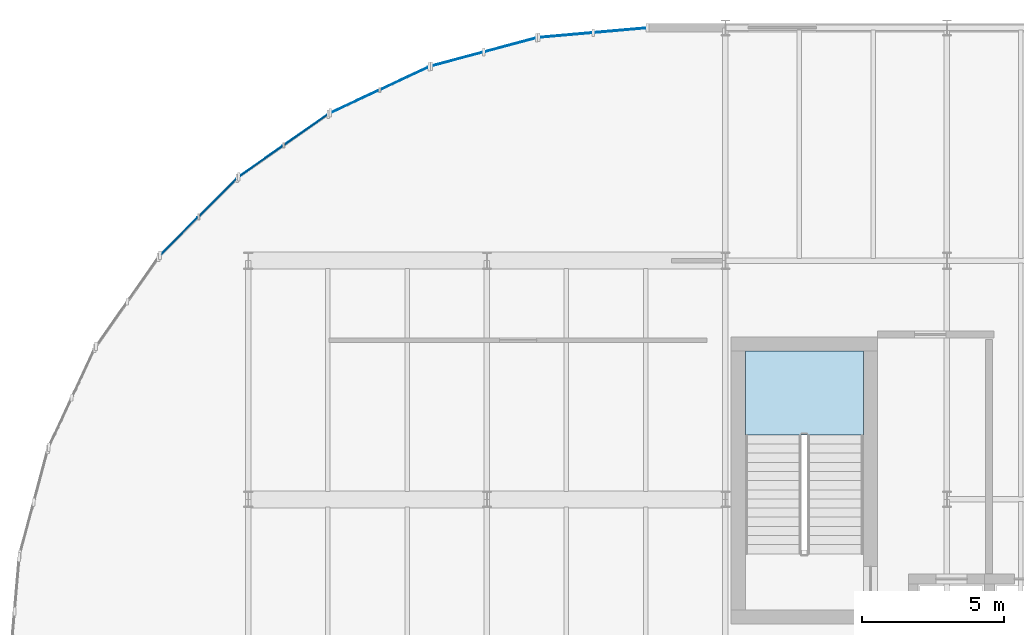
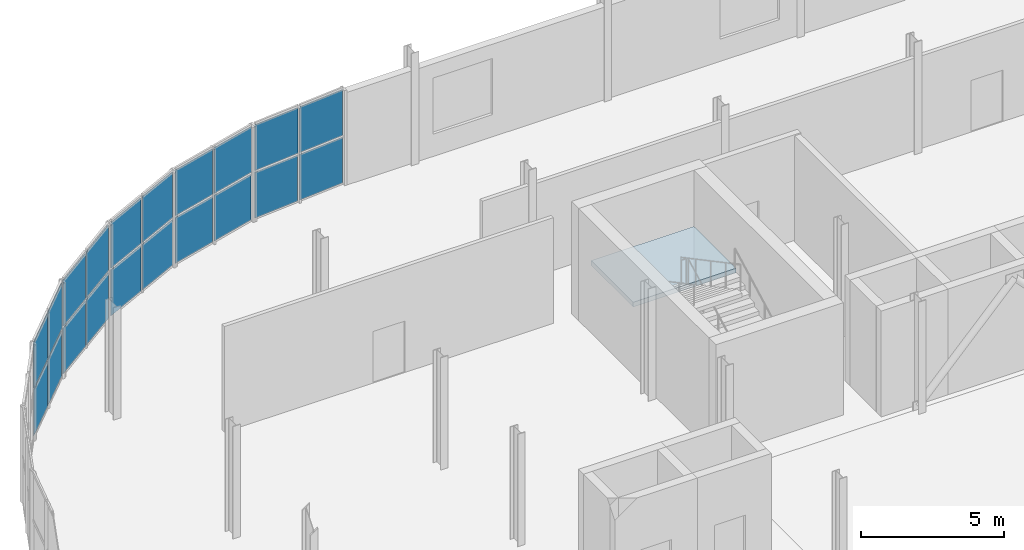
# One storey, part 38 of 63: 20 plates, 1 slab, 6 elements without a shape of their own.
"""IFC4 building model written with IfcOpenShell, lengths in metres."""

from ifc_helpers import new_model, si_unit, direction, frame, origin, origin_2d, place, context, subcontext, project, spatial, polyline, rectangle, outline, extrude, material, layer, layer_set, type_object, element, aggregate, save


model = new_model("IFC4")

# Units and contexts
model_context = context("Model", 3, precision=1e-05, world=origin(), true_north=direction((0.0, 1.0)))
body_context = subcontext(model_context, "Body", "Model", "MODEL_VIEW")
ifc_project = project(units=[si_unit("LENGTHUNIT", "METRE"), si_unit("AREAUNIT", "SQUARE_METRE"), si_unit("VOLUMEUNIT", "CUBIC_METRE"), si_unit("PLANEANGLEUNIT", "RADIAN"), si_unit("MASSUNIT", "GRAM", prefix="KILO")], contexts=[model_context])

# Site, building, storey
site_placement = place(None, origin())
site = spatial("IfcSite", under=ifc_project, at=site_placement, CompositionType="ELEMENT")
building_placement = place(site_placement, origin())
building = spatial("IfcBuilding", under=site, at=building_placement, Name="Sefraquen Railside Congress Hotel", CompositionType="ELEMENT")
storey_placement = place(building_placement, frame((0.0, 0.0, 11.39990234375)))
storey = spatial("IfcBuildingStorey", under=building, at=storey_placement, Name="L02", CompositionType="ELEMENT", Elevation=11.39990234375)

# Curtain wall, plates
ifc_material_1 = material(Name="Thermally broken anodised aluminium and low-E double glazing", Category="aluminium")
ifc_layer_1 = layer(ifc_material_1, 0.199951171875)
ifc_layer_set_1 = layer_set([ifc_layer_1], Name="Thermally broken anodised aluminium and low-E double glazing")
curtain_wall_type_1 = type_object("IfcCurtainWallType", Name="TCW-UCW-19", PredefinedType="USERDEFINED", material=ifc_layer_set_1)
curtain_wall_1_placement = place(storey_placement, origin())
curtain_wall_1 = element("IfcCurtainWall", 1, at=curtain_wall_1_placement, inside=storey, type_object=curtain_wall_type_1, Name="Rotunda L02 curved curtain wall facet 1", ObjectType="UNITISED CURTAIN WALL", PredefinedType="USERDEFINED")
ifc_material_2 = material(Name="Solar-control low-E double glazing", Category="glass")
ifc_layer_2 = layer(ifc_material_2, 0.02392578125)
ifc_layer_set_2 = layer_set([ifc_layer_2], Name="Solar-control low-E double glazing")
plate_type_1 = type_object("IfcPlateType", Name="TP-CWP-01", PredefinedType="CURTAIN_PANEL", material=ifc_layer_set_2)
plate_1_placement = place(storey_placement, frame((21.50341796875, 117.912841796875, 0.0400390625), z_axis=(0.0, 0.0, 1.0), x_axis=(-0.996196219095, -0.087138355857, 0.0)))
plate_1 = element("IfcPlate", 2, at=plate_1_placement, type_object=plate_type_1, Name="CW-L02-ROT-01 panel 1.1", PredefinedType="CURTAIN_PANEL", context=body_context, shape_type="SweptSolid", body=[
    extrude(rectangle(XDim=1.8310546875, YDim=0.02392578125, at=origin_2d()), origin(), (0.0, 0.0, 1.0), 1.955078125),
])
plate_2_placement = place(storey_placement, frame((19.589599609375, 117.745361328125, 0.0400390625), z_axis=(0.0, 0.0, 1.0), x_axis=(-0.996196219095, -0.087138355857, 0.0)))
plate_2 = element("IfcPlate", 3, at=plate_2_placement, type_object=plate_type_1, Name="CW-L02-ROT-01 panel 1.2", PredefinedType="CURTAIN_PANEL", context=body_context, shape_type="SweptSolid", body=[
    extrude(rectangle(XDim=1.8310546875, YDim=0.02392578125, at=origin_2d()), origin(), (0.0, 0.0, 1.0), 1.955078125),
])

ifc_layer_3 = layer(ifc_material_1, 0.199951171875)
ifc_layer_set_3 = layer_set([ifc_layer_3], Name="Thermally broken anodised aluminium and low-E double glazing")
curtain_wall_type_2 = type_object("IfcCurtainWallType", Name="TCW-UCW-20", PredefinedType="USERDEFINED", material=ifc_layer_set_3)
curtain_wall_2_placement = place(storey_placement, origin())
curtain_wall_2 = element("IfcCurtainWall", 4, at=curtain_wall_2_placement, inside=storey, type_object=curtain_wall_type_2, Name="Rotunda L02 curved curtain wall facet 2", ObjectType="UNITISED CURTAIN WALL", PredefinedType="USERDEFINED")
plate_3_placement = place(storey_placement, frame((17.62646484375, 117.399169921875, 0.0400390625), z_axis=(0.0, 0.0, 1.0), x_axis=(-0.96593486019, -0.258785327773, 0.0)))
plate_3 = element("IfcPlate", 5, at=plate_3_placement, type_object=plate_type_1, Name="CW-L02-ROT-02 panel 1.1", PredefinedType="CURTAIN_PANEL", context=body_context, shape_type="SweptSolid", body=[
    extrude(rectangle(XDim=1.8310546875, YDim=0.02392578125, at=origin_2d()), origin(), (0.0, 0.0, 1.0), 1.955078125),
])
plate_4_placement = place(storey_placement, frame((15.77099609375, 116.902099609375, 0.0400390625), z_axis=(0.0, 0.0, 1.0), x_axis=(-0.96593486019, -0.258785327773, 0.0)))
plate_4 = element("IfcPlate", 6, at=plate_4_placement, type_object=plate_type_1, Name="CW-L02-ROT-02 panel 1.2", PredefinedType="CURTAIN_PANEL", context=body_context, shape_type="SweptSolid", body=[
    extrude(rectangle(XDim=1.8310546875, YDim=0.02392578125, at=origin_2d()), origin(), (0.0, 0.0, 1.0), 1.955078125),
])

ifc_layer_4 = layer(ifc_material_1, 0.199951171875)
ifc_layer_set_4 = layer_set([ifc_layer_4], Name="Thermally broken anodised aluminium and low-E double glazing")
curtain_wall_type_3 = type_object("IfcCurtainWallType", Name="TCW-UCW-21", PredefinedType="USERDEFINED", material=ifc_layer_set_4)
curtain_wall_3_placement = place(storey_placement, origin())
curtain_wall_3 = element("IfcCurtainWall", 7, at=curtain_wall_3_placement, inside=storey, type_object=curtain_wall_type_3, Name="Rotunda L02 curved curtain wall facet 3", ObjectType="UNITISED CURTAIN WALL", PredefinedType="USERDEFINED")
plate_5_placement = place(storey_placement, frame((13.897705078125, 116.22021484375, 0.0400390625), z_axis=(0.0, 0.0, 1.0), x_axis=(-0.906300410818, -0.422634079731, 0.0)))
plate_5 = element("IfcPlate", 8, at=plate_5_placement, type_object=plate_type_1, Name="CW-L02-ROT-03 panel 1.1", PredefinedType="CURTAIN_PANEL", context=body_context, shape_type="SweptSolid", body=[
    extrude(rectangle(XDim=1.830810546875, YDim=0.02392578125, at=origin_2d()), origin(), (0.0, 0.0, 1.0), 1.955078125),
])
plate_6_placement = place(storey_placement, frame((12.15673828125, 115.408447265625, 0.0400390625), z_axis=(0.0, 0.0, 1.0), x_axis=(-0.906300410818, -0.422634079731, 0.0)))
plate_6 = element("IfcPlate", 9, at=plate_6_placement, type_object=plate_type_1, Name="CW-L02-ROT-03 panel 1.2", PredefinedType="CURTAIN_PANEL", context=body_context, shape_type="SweptSolid", body=[
    extrude(rectangle(XDim=1.830810546875, YDim=0.02392578125, at=origin_2d()), origin(), (0.0, 0.0, 1.0), 1.955078125),
])

ifc_layer_5 = layer(ifc_material_1, 0.199951171875)
ifc_layer_set_5 = layer_set([ifc_layer_5], Name="Thermally broken anodised aluminium and low-E double glazing")
curtain_wall_type_4 = type_object("IfcCurtainWallType", Name="TCW-UCW-22", PredefinedType="USERDEFINED", material=ifc_layer_set_5)
curtain_wall_4_placement = place(storey_placement, origin())
curtain_wall_4 = element("IfcCurtainWall", 10, at=curtain_wall_4_placement, inside=storey, type_object=curtain_wall_type_4, Name="Rotunda L02 curved curtain wall facet 4", ObjectType="UNITISED CURTAIN WALL", PredefinedType="USERDEFINED")
plate_7_placement = place(storey_placement, frame((10.430419921875, 114.411865234375, 0.0400390625), z_axis=(0.0, 0.0, 1.0), x_axis=(-0.819132022195, -0.573605029802, 0.0)))
plate_7 = element("IfcPlate", 11, at=plate_7_placement, type_object=plate_type_1, Name="CW-L02-ROT-04 panel 1.1", PredefinedType="CURTAIN_PANEL", context=body_context, shape_type="SweptSolid", body=[
    extrude(rectangle(XDim=1.8310546875, YDim=0.02392578125, at=origin_2d()), origin(), (0.0, 0.0, 1.0), 1.955078125),
])
plate_8_placement = place(storey_placement, frame((8.856689453125, 113.309814453125, 0.0400390625), z_axis=(0.0, 0.0, 1.0), x_axis=(-0.819132022195, -0.573605029802, 0.0)))
plate_8 = element("IfcPlate", 12, at=plate_8_placement, type_object=plate_type_1, Name="CW-L02-ROT-04 panel 1.2", PredefinedType="CURTAIN_PANEL", context=body_context, shape_type="SweptSolid", body=[
    extrude(rectangle(XDim=1.8310546875, YDim=0.02392578125, at=origin_2d()), origin(), (0.0, 0.0, 1.0), 1.955078125),
])

ifc_layer_6 = layer(ifc_material_1, 0.199951171875)
ifc_layer_set_6 = layer_set([ifc_layer_6], Name="Thermally broken anodised aluminium and low-E double glazing")
curtain_wall_type_5 = type_object("IfcCurtainWallType", Name="TCW-UCW-23", PredefinedType="USERDEFINED", material=ifc_layer_set_6)
curtain_wall_5_placement = place(storey_placement, origin())
curtain_wall_5 = element("IfcCurtainWall", 13, at=curtain_wall_5_placement, inside=storey, type_object=curtain_wall_type_5, Name="Rotunda L02 curved curtain wall facet 5", ObjectType="UNITISED CURTAIN WALL", PredefinedType="USERDEFINED")
plate_9_placement = place(storey_placement, frame((7.329833984375, 112.028564453125, 0.0400390625), z_axis=(0.0, 0.0, 1.0), x_axis=(-0.707106781187, -0.707106781187, 0.0)))
plate_9 = element("IfcPlate", 14, at=plate_9_placement, type_object=plate_type_1, Name="CW-L02-ROT-05 panel 1.1", PredefinedType="CURTAIN_PANEL", context=body_context, shape_type="SweptSolid", body=[
    extrude(rectangle(XDim=1.8310546875, YDim=0.02392578125, at=origin_2d()), origin(), (0.0, 0.0, 1.0), 1.955078125),
])
plate_10_placement = place(storey_placement, frame((5.971435546875, 110.670166015625, 0.0400390625), z_axis=(0.0, 0.0, 1.0), x_axis=(-0.707106781187, -0.707106781187, 0.0)))
plate_10 = element("IfcPlate", 15, at=plate_10_placement, type_object=plate_type_1, Name="CW-L02-ROT-05 panel 1.2", PredefinedType="CURTAIN_PANEL", context=body_context, shape_type="SweptSolid", body=[
    extrude(rectangle(XDim=1.8310546875, YDim=0.02392578125, at=origin_2d()), origin(), (0.0, 0.0, 1.0), 1.955078125),
])

# Plate
ifc_material_3 = material(Name="Triple acoustic solar-control glazing", Category="glass")
ifc_layer_7 = layer(ifc_material_3, 0.031982421875)
ifc_layer_set_7 = layer_set([ifc_layer_7], Name="Triple acoustic solar-control glazing")
plate_type_2 = type_object("IfcPlateType", Name="TP-CWP-02", PredefinedType="CURTAIN_PANEL", material=ifc_layer_set_7)
plate_11_placement = place(storey_placement, frame((21.50341796875, 117.912841796875, 2.074951171875), z_axis=(0.0, 0.0, 1.0), x_axis=(-0.996196219095, -0.087138355857, 0.0)))
plate_11 = element("IfcPlate", 16, at=plate_11_placement, type_object=plate_type_2, Name="CW-L02-ROT-01 panel 2.1", PredefinedType="CURTAIN_PANEL", context=body_context, shape_type="SweptSolid", body=[
    extrude(rectangle(XDim=1.8310546875, YDim=0.031982421875, at=origin_2d()), origin(), (0.0, 0.0, 1.0), 1.955078125),
])

plate_12_placement = place(storey_placement, frame((19.589599609375, 117.745361328125, 2.074951171875), z_axis=(0.0, 0.0, 1.0), x_axis=(-0.996196219095, -0.087138355857, 0.0)))
plate_12 = element("IfcPlate", 17, at=plate_12_placement, type_object=plate_type_2, Name="CW-L02-ROT-01 panel 2.2", PredefinedType="CURTAIN_PANEL", context=body_context, shape_type="SweptSolid", body=[
    extrude(rectangle(XDim=1.8310546875, YDim=0.031982421875, at=origin_2d()), origin(), (0.0, 0.0, 1.0), 1.955078125),
])

aggregate(curtain_wall_1, [plate_1, plate_2, plate_11, plate_12])

plate_13_placement = place(storey_placement, frame((17.62646484375, 117.399169921875, 2.074951171875), z_axis=(0.0, 0.0, 1.0), x_axis=(-0.96593486019, -0.258785327773, 0.0)))
plate_13 = element("IfcPlate", 18, at=plate_13_placement, type_object=plate_type_2, Name="CW-L02-ROT-02 panel 2.1", PredefinedType="CURTAIN_PANEL", context=body_context, shape_type="SweptSolid", body=[
    extrude(rectangle(XDim=1.8310546875, YDim=0.031982421875, at=origin_2d()), origin(), (0.0, 0.0, 1.0), 1.955078125),
])

plate_14_placement = place(storey_placement, frame((15.77099609375, 116.902099609375, 2.074951171875), z_axis=(0.0, 0.0, 1.0), x_axis=(-0.96593486019, -0.258785327773, 0.0)))
plate_14 = element("IfcPlate", 19, at=plate_14_placement, type_object=plate_type_2, Name="CW-L02-ROT-02 panel 2.2", PredefinedType="CURTAIN_PANEL", context=body_context, shape_type="SweptSolid", body=[
    extrude(rectangle(XDim=1.8310546875, YDim=0.031982421875, at=origin_2d()), origin(), (0.0, 0.0, 1.0), 1.955078125),
])

aggregate(curtain_wall_2, [plate_3, plate_4, plate_13, plate_14])

plate_15_placement = place(storey_placement, frame((13.897705078125, 116.22021484375, 2.074951171875), z_axis=(0.0, 0.0, 1.0), x_axis=(-0.906300410818, -0.422634079731, 0.0)))
plate_15 = element("IfcPlate", 20, at=plate_15_placement, type_object=plate_type_2, Name="CW-L02-ROT-03 panel 2.1", PredefinedType="CURTAIN_PANEL", context=body_context, shape_type="SweptSolid", body=[
    extrude(rectangle(XDim=1.830810546875, YDim=0.031982421875, at=origin_2d()), origin(), (0.0, 0.0, 1.0), 1.955078125),
])

plate_16_placement = place(storey_placement, frame((12.15673828125, 115.408447265625, 2.074951171875), z_axis=(0.0, 0.0, 1.0), x_axis=(-0.906300410818, -0.422634079731, 0.0)))
plate_16 = element("IfcPlate", 21, at=plate_16_placement, type_object=plate_type_2, Name="CW-L02-ROT-03 panel 2.2", PredefinedType="CURTAIN_PANEL", context=body_context, shape_type="SweptSolid", body=[
    extrude(rectangle(XDim=1.830810546875, YDim=0.031982421875, at=origin_2d()), origin(), (0.0, 0.0, 1.0), 1.955078125),
])

aggregate(curtain_wall_3, [plate_5, plate_6, plate_15, plate_16])

plate_17_placement = place(storey_placement, frame((10.430419921875, 114.411865234375, 2.074951171875), z_axis=(0.0, 0.0, 1.0), x_axis=(-0.819132022195, -0.573605029802, 0.0)))
plate_17 = element("IfcPlate", 22, at=plate_17_placement, type_object=plate_type_2, Name="CW-L02-ROT-04 panel 2.1", PredefinedType="CURTAIN_PANEL", context=body_context, shape_type="SweptSolid", body=[
    extrude(rectangle(XDim=1.8310546875, YDim=0.031982421875, at=origin_2d()), origin(), (0.0, 0.0, 1.0), 1.955078125),
])

plate_18_placement = place(storey_placement, frame((8.856689453125, 113.309814453125, 2.074951171875), z_axis=(0.0, 0.0, 1.0), x_axis=(-0.819132022195, -0.573605029802, 0.0)))
plate_18 = element("IfcPlate", 23, at=plate_18_placement, type_object=plate_type_2, Name="CW-L02-ROT-04 panel 2.2", PredefinedType="CURTAIN_PANEL", context=body_context, shape_type="SweptSolid", body=[
    extrude(rectangle(XDim=1.8310546875, YDim=0.031982421875, at=origin_2d()), origin(), (0.0, 0.0, 1.0), 1.955078125),
])

aggregate(curtain_wall_4, [plate_7, plate_8, plate_17, plate_18])

plate_19_placement = place(storey_placement, frame((7.329833984375, 112.028564453125, 2.074951171875), z_axis=(0.0, 0.0, 1.0), x_axis=(-0.707106781187, -0.707106781187, 0.0)))
plate_19 = element("IfcPlate", 24, at=plate_19_placement, type_object=plate_type_2, Name="CW-L02-ROT-05 panel 2.1", PredefinedType="CURTAIN_PANEL", context=body_context, shape_type="SweptSolid", body=[
    extrude(rectangle(XDim=1.8310546875, YDim=0.031982421875, at=origin_2d()), origin(), (0.0, 0.0, 1.0), 1.955078125),
])

plate_20_placement = place(storey_placement, frame((5.971435546875, 110.670166015625, 2.074951171875), z_axis=(0.0, 0.0, 1.0), x_axis=(-0.707106781187, -0.707106781187, 0.0)))
plate_20 = element("IfcPlate", 25, at=plate_20_placement, type_object=plate_type_2, Name="CW-L02-ROT-05 panel 2.2", PredefinedType="CURTAIN_PANEL", context=body_context, shape_type="SweptSolid", body=[
    extrude(rectangle(XDim=1.8310546875, YDim=0.031982421875, at=origin_2d()), origin(), (0.0, 0.0, 1.0), 1.955078125),
])

aggregate(curtain_wall_5, [plate_9, plate_10, plate_19, plate_20])

# Stair, slab
ifc_material_4 = material(Name="Concrete C40/50", Category="concrete")
stair_type = type_object("IfcStairType", Name="TST-DOG-198-420", PredefinedType="HALF_TURN_STAIR", material=ifc_material_4)
stair_placement = place(storey_placement, origin())
stair = element("IfcStair", 26, at=stair_placement, inside=storey, type_object=stair_type, Name="L02 Pressurized escape stair ST-H02", PredefinedType="HALF_TURN_STAIR")
ifc_layer_8 = layer(ifc_material_4, 0.199951171875)
ifc_layer_set_8 = layer_set([ifc_layer_8], Name="Concrete C40/50")
slab_type = type_object("IfcSlabType", Name="TS-LD-200", PredefinedType="LANDING", material=ifc_layer_set_8)
slab_placement = place(storey_placement, frame((0.0, 0.0, 2.2001953125)))
slab = element("IfcSlab", 27, at=slab_placement, type_object=slab_type, Name="ST-H02 landing 1", PredefinedType="LANDING", context=body_context, shape_type="SweptSolid", body=[
    extrude(outline(polyline([(30.06005859375, 103.666015625), (30.06005859375, 106.612060546875), (25.89990234375, 106.612060546875), (25.89990234375, 103.666015625), (30.06005859375, 103.666015625)])), origin(), (0.0, 0.0, 1.0), 0.199951171875),
])
aggregate(stair, [slab])

save(model, "model.ifc")
